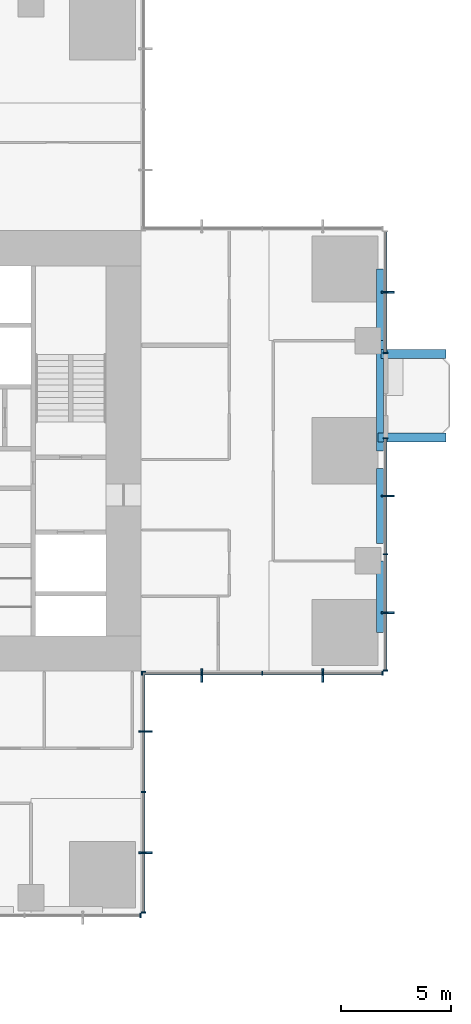
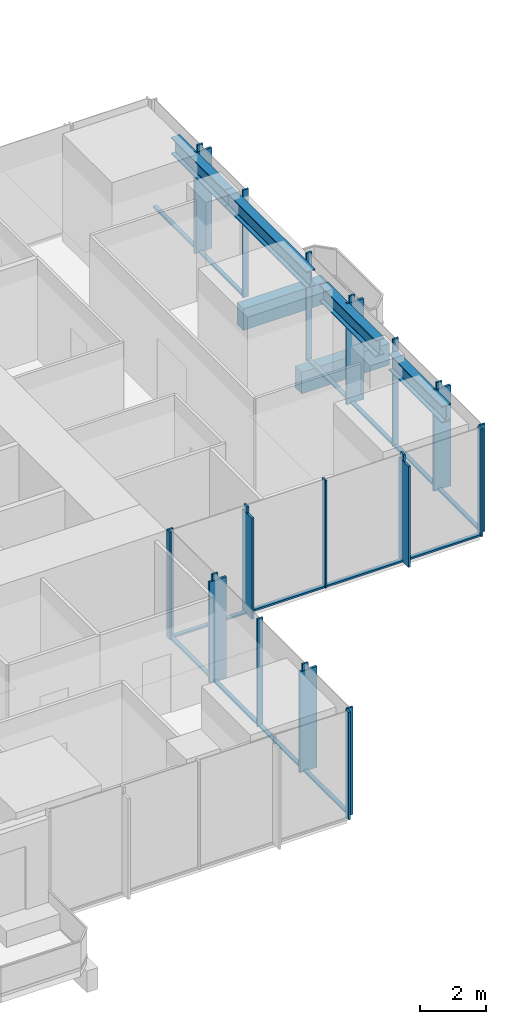
# One storey, part 4 of 13: 39 members, 6 beams, 5 elements without a shape of their own.
"""IFC4 building model written with IfcOpenShell, lengths in metres."""

from ifc_helpers import new_model, si_unit, direction, frame, origin, origin_2d, place, context, subcontext, project, spatial, rectangle, i_section, extrude, material, material_profile, profile_set, type_object, element, aggregate, save


model = new_model("IFC4")

# Units and contexts
model_context = context("Model", 3, precision=1e-05, world=origin(), true_north=direction((0.0, 1.0)))
body_context = subcontext(model_context, "Body", "Model", "MODEL_VIEW")
ifc_project = project(units=[si_unit("LENGTHUNIT", "METRE"), si_unit("AREAUNIT", "SQUARE_METRE"), si_unit("VOLUMEUNIT", "CUBIC_METRE"), si_unit("PLANEANGLEUNIT", "RADIAN"), si_unit("MASSUNIT", "GRAM", prefix="KILO")], contexts=[model_context])

# Site, building, storey
site_placement = place(None, origin())
site = spatial("IfcSite", under=ifc_project, at=site_placement, CompositionType="ELEMENT")
building_placement = place(site_placement, origin())
building = spatial("IfcBuilding", under=site, at=building_placement, Name="Svetlomir Tower", CompositionType="ELEMENT")
storey_placement = place(building_placement, frame((0.0, 0.0, 116.5)))
storey = spatial("IfcBuildingStorey", under=building, at=storey_placement, Name="L27", CompositionType="ELEMENT", Elevation=116.5)

# Beams
ifc_material_1 = material(Name="Concrete C60/75", Category="concrete")
ifc_material_profile_1 = material_profile(ifc_material_1, rectangle(XDim=0.39990234375, YDim=0.800048828125, at=origin_2d()), Name="RC 400x800")
ifc_profile_set_1 = profile_set([ifc_material_profile_1], Name="Concrete C60/75")
beam_type_1 = type_object("IfcBeamType", Name="BALCONY RIB RC 400x800", PredefinedType="BEAM", material=ifc_profile_set_1)
beam_1_placement = place(storey_placement, frame((41.75, 21.60009765625, -0.64990234375), z_axis=(1.0, 0.0, 0.0), x_axis=(0.0, 1.0, 0.0)))
element("IfcBeam", 1, at=beam_1_placement, inside=storey, type_object=beam_type_1, Name="Balcony rib E 1 L27", PredefinedType="BEAM", context=body_context, shape_type="SweptSolid", body=[
    extrude(rectangle(XDim=0.39990234375, YDim=0.800048828125, at=origin_2d()), origin(), (0.0, 0.0, 1.0), 3.10009765625),
])
beam_2_placement = place(storey_placement, frame((41.89990234375, 25.39990234375, -0.64990234375), z_axis=(1.0, 0.0, 0.0), x_axis=(0.0, 1.0, 0.0)))
element("IfcBeam", 2, at=beam_2_placement, inside=storey, type_object=beam_type_1, Name="Balcony rib E 2 L27", PredefinedType="BEAM", context=body_context, shape_type="SweptSolid", body=[
    extrude(rectangle(XDim=0.39990234375, YDim=0.800048828125, at=origin_2d()), origin(), (0.0, 0.0, 1.0), 2.9501953125),
])

# Curtain wall, members
ifc_material_2 = material(Name="Bronze anodised aluminium curtain wall", Category="aluminium")
curtain_wall_type = type_object("IfcCurtainWallType", Name="CURTAIN WALL CW1 TOWER OFFICE", PredefinedType="NOTDEFINED", material=ifc_material_2)
curtain_wall_1_placement = place(storey_placement, origin())
curtain_wall_1 = element("IfcCurtainWall", 3, at=curtain_wall_1_placement, inside=storey, type_object=curtain_wall_type, Name="Curtain wall CW1 L27", PredefinedType="NOTDEFINED")
ifc_material_3 = material(Name="Bronze anodised aluminium", Category="aluminium")
ifc_material_profile_2 = material_profile(ifc_material_3, rectangle(XDim=0.080078125, YDim=0.60009765625, at=origin_2d()), Name="FIN 80x600")
ifc_profile_set_2 = profile_set([ifc_material_profile_2], Name="Bronze anodised aluminium 6063-T6")
member_type_1 = type_object("IfcMemberType", Name="BRONZE FIN 80x600", PredefinedType="USERDEFINED", material=ifc_profile_set_2)
member_1_placement = place(storey_placement, frame((31.199951171875, 2.75, 0.0), z_axis=(0.0, 0.0, 1.0), x_axis=(0.0, 1.0, 0.0)))
member_1 = element("IfcMember", 4, at=member_1_placement, type_object=member_type_1, Name="Bronze fin L27", ObjectType="FIN", PredefinedType="USERDEFINED", context=body_context, shape_type="SweptSolid", body=[
    extrude(rectangle(XDim=0.080078125, YDim=0.60009765625, at=origin_2d()), origin(), (0.0, 0.0, 1.0), 3.75),
])
member_2_placement = place(storey_placement, frame((31.199951171875, 8.25, 0.0), z_axis=(0.0, 0.0, 1.0), x_axis=(0.0, 1.0, 0.0)))
member_2 = element("IfcMember", 5, at=member_2_placement, type_object=member_type_1, Name="Bronze fin L27", ObjectType="FIN", PredefinedType="USERDEFINED", context=body_context, shape_type="SweptSolid", body=[
    extrude(rectangle(XDim=0.080078125, YDim=0.60009765625, at=origin_2d()), origin(), (0.0, 0.0, 1.0), 3.75),
])

curtain_wall_2_placement = place(storey_placement, origin())
curtain_wall_2 = element("IfcCurtainWall", 6, at=curtain_wall_2_placement, inside=storey, type_object=curtain_wall_type, Name="Curtain wall CW1 L27", PredefinedType="NOTDEFINED")
member_3_placement = place(storey_placement, frame((33.75, 10.800048828125, 0.0), z_axis=(0.0, 0.0, 1.0), x_axis=(1.0, 0.0, 0.0)))
member_3 = element("IfcMember", 7, at=member_3_placement, type_object=member_type_1, Name="Bronze fin L27", ObjectType="FIN", PredefinedType="USERDEFINED", context=body_context, shape_type="SweptSolid", body=[
    extrude(rectangle(XDim=0.080078125, YDim=0.60009765625, at=origin_2d()), origin(), (0.0, 0.0, 1.0), 3.75),
])
member_4_placement = place(storey_placement, frame((39.25, 10.800048828125, 0.0), z_axis=(0.0, 0.0, 1.0), x_axis=(1.0, 0.0, 0.0)))
member_4 = element("IfcMember", 8, at=member_4_placement, type_object=member_type_1, Name="Bronze fin L27", ObjectType="FIN", PredefinedType="USERDEFINED", context=body_context, shape_type="SweptSolid", body=[
    extrude(rectangle(XDim=0.080078125, YDim=0.60009765625, at=origin_2d()), origin(), (0.0, 0.0, 1.0), 3.75),
])

curtain_wall_3_placement = place(storey_placement, origin())
curtain_wall_3 = element("IfcCurtainWall", 9, at=curtain_wall_3_placement, inside=storey, type_object=curtain_wall_type, Name="Curtain wall CW1 L27", PredefinedType="NOTDEFINED")
member_5_placement = place(storey_placement, frame((42.199951171875, 13.64990234375, 0.0), z_axis=(0.0, 0.0, 1.0), x_axis=(0.0, 1.0, 0.0)))
member_5 = element("IfcMember", 10, at=member_5_placement, type_object=member_type_1, Name="Bronze fin L27", ObjectType="FIN", PredefinedType="USERDEFINED", context=body_context, shape_type="SweptSolid", body=[
    extrude(rectangle(XDim=0.080078125, YDim=0.60009765625, at=origin_2d()), origin(), (0.0, 0.0, 1.0), 3.75),
])
member_6_placement = place(storey_placement, frame((42.199951171875, 18.949951171875, 0.0), z_axis=(0.0, 0.0, 1.0), x_axis=(0.0, 1.0, 0.0)))
member_6 = element("IfcMember", 11, at=member_6_placement, type_object=member_type_1, Name="Bronze fin L27", ObjectType="FIN", PredefinedType="USERDEFINED", context=body_context, shape_type="SweptSolid", body=[
    extrude(rectangle(XDim=0.080078125, YDim=0.60009765625, at=origin_2d()), origin(), (0.0, 0.0, 1.0), 3.75),
])

# Curtain wall, member
curtain_wall_4_placement = place(storey_placement, origin())
curtain_wall_4 = element("IfcCurtainWall", 12, at=curtain_wall_4_placement, inside=storey, type_object=curtain_wall_type, Name="Curtain wall CW1 L27", PredefinedType="NOTDEFINED")
member_7_placement = place(storey_placement, frame((42.199951171875, 28.199951171875, 0.0), z_axis=(0.0, 0.0, 1.0), x_axis=(0.0, 1.0, 0.0)))
member_7 = element("IfcMember", 13, at=member_7_placement, type_object=member_type_1, Name="Bronze fin L27", ObjectType="FIN", PredefinedType="USERDEFINED", context=body_context, shape_type="SweptSolid", body=[
    extrude(rectangle(XDim=0.080078125, YDim=0.60009765625, at=origin_2d()), origin(), (0.0, 0.0, 1.0), 3.75),
])

curtain_wall_5_placement = place(storey_placement, origin())
curtain_wall_5 = element("IfcCurtainWall", 14, at=curtain_wall_5_placement, inside=storey, type_object=curtain_wall_type, Name="Curtain wall CW1 L27", PredefinedType="NOTDEFINED")
ifc_material_4 = material(Name="Bronze anodised aluminium", Category="aluminium")
ifc_material_profile_3 = material_profile(ifc_material_4, rectangle(XDim=0.06494140625, YDim=0.199951171875, at=origin_2d()), Name="AL 65x200")
ifc_profile_set_3 = profile_set([ifc_material_profile_3], Name="Bronze anodised aluminium 6063-T6")
member_type_2 = type_object("IfcMemberType", Name="CW1 MULLION 65x200", PredefinedType="MULLION", material=ifc_profile_set_3)
member_8_placement = place(storey_placement, frame((30.967529296875, -0.10009765625, 0.0), z_axis=(0.0, 0.0, 1.0), x_axis=(1.0, 0.0, 0.0)))
member_8 = element("IfcMember", 15, at=member_8_placement, type_object=member_type_2, Name="CW1 mullion 5", PredefinedType="MULLION", context=body_context, shape_type="SweptSolid", body=[
    extrude(rectangle(XDim=0.06494140625, YDim=0.199951171875, at=origin_2d()), origin(), (0.0, 0.0, 1.0), 4.0),
])
aggregate(curtain_wall_5, [member_8])

# Member
member_9_placement = place(storey_placement, frame((31.10009765625, 0.032470703125, 0.0), z_axis=(0.0, 0.0, 1.0), x_axis=(0.0, 1.0, 0.0)))
member_9 = element("IfcMember", 16, at=member_9_placement, type_object=member_type_2, Name="CW1 mullion 1", PredefinedType="MULLION", context=body_context, shape_type="SweptSolid", body=[
    extrude(rectangle(XDim=0.06494140625, YDim=0.199951171875, at=origin_2d()), origin(), (0.0, 0.0, 1.0), 4.0),
])

member_10_placement = place(storey_placement, frame((31.10009765625, 2.75, 0.0), z_axis=(0.0, 0.0, 1.0), x_axis=(0.0, 1.0, 0.0)))
member_10 = element("IfcMember", 17, at=member_10_placement, type_object=member_type_2, Name="CW1 mullion 2", PredefinedType="MULLION", context=body_context, shape_type="SweptSolid", body=[
    extrude(rectangle(XDim=0.06494140625, YDim=0.199951171875, at=origin_2d()), origin(), (0.0, 0.0, 1.0), 4.0),
])

member_11_placement = place(storey_placement, frame((31.10009765625, 5.5, 0.0), z_axis=(0.0, 0.0, 1.0), x_axis=(0.0, 1.0, 0.0)))
member_11 = element("IfcMember", 18, at=member_11_placement, type_object=member_type_2, Name="CW1 mullion 3", PredefinedType="MULLION", context=body_context, shape_type="SweptSolid", body=[
    extrude(rectangle(XDim=0.06494140625, YDim=0.199951171875, at=origin_2d()), origin(), (0.0, 0.0, 1.0), 4.0),
])

member_12_placement = place(storey_placement, frame((31.10009765625, 8.25, 0.0), z_axis=(0.0, 0.0, 1.0), x_axis=(0.0, 1.0, 0.0)))
member_12 = element("IfcMember", 19, at=member_12_placement, type_object=member_type_2, Name="CW1 mullion 4", PredefinedType="MULLION", context=body_context, shape_type="SweptSolid", body=[
    extrude(rectangle(XDim=0.06494140625, YDim=0.199951171875, at=origin_2d()), origin(), (0.0, 0.0, 1.0), 4.0),
])

member_13_placement = place(storey_placement, frame((31.10009765625, 10.967529296875, 0.0), z_axis=(0.0, 0.0, 1.0), x_axis=(0.0, 1.0, 0.0)))
member_13 = element("IfcMember", 20, at=member_13_placement, type_object=member_type_2, Name="CW1 mullion 5", PredefinedType="MULLION", context=body_context, shape_type="SweptSolid", body=[
    extrude(rectangle(XDim=0.06494140625, YDim=0.199951171875, at=origin_2d()), origin(), (0.0, 0.0, 1.0), 4.0),
])

member_14_placement = place(storey_placement, frame((31.032470703125, 10.89990234375, 0.0), z_axis=(0.0, 0.0, 1.0), x_axis=(1.0, 0.0, 0.0)))
member_14 = element("IfcMember", 21, at=member_14_placement, type_object=member_type_2, Name="CW1 mullion 1", PredefinedType="MULLION", context=body_context, shape_type="SweptSolid", body=[
    extrude(rectangle(XDim=0.06494140625, YDim=0.199951171875, at=origin_2d()), origin(), (0.0, 0.0, 1.0), 4.0),
])

member_15_placement = place(storey_placement, frame((33.75, 10.89990234375, 0.0), z_axis=(0.0, 0.0, 1.0), x_axis=(1.0, 0.0, 0.0)))
member_15 = element("IfcMember", 22, at=member_15_placement, type_object=member_type_2, Name="CW1 mullion 2", PredefinedType="MULLION", context=body_context, shape_type="SweptSolid", body=[
    extrude(rectangle(XDim=0.06494140625, YDim=0.199951171875, at=origin_2d()), origin(), (0.0, 0.0, 1.0), 4.0),
])

member_16_placement = place(storey_placement, frame((36.5, 10.89990234375, 0.0), z_axis=(0.0, 0.0, 1.0), x_axis=(1.0, 0.0, 0.0)))
member_16 = element("IfcMember", 23, at=member_16_placement, type_object=member_type_2, Name="CW1 mullion 3", PredefinedType="MULLION", context=body_context, shape_type="SweptSolid", body=[
    extrude(rectangle(XDim=0.06494140625, YDim=0.199951171875, at=origin_2d()), origin(), (0.0, 0.0, 1.0), 4.0),
])

member_17_placement = place(storey_placement, frame((39.25, 10.89990234375, 0.0), z_axis=(0.0, 0.0, 1.0), x_axis=(1.0, 0.0, 0.0)))
member_17 = element("IfcMember", 24, at=member_17_placement, type_object=member_type_2, Name="CW1 mullion 4", PredefinedType="MULLION", context=body_context, shape_type="SweptSolid", body=[
    extrude(rectangle(XDim=0.06494140625, YDim=0.199951171875, at=origin_2d()), origin(), (0.0, 0.0, 1.0), 4.0),
])

member_18_placement = place(storey_placement, frame((41.967529296875, 10.89990234375, 0.0), z_axis=(0.0, 0.0, 1.0), x_axis=(1.0, 0.0, 0.0)))
member_18 = element("IfcMember", 25, at=member_18_placement, type_object=member_type_2, Name="CW1 mullion 5", PredefinedType="MULLION", context=body_context, shape_type="SweptSolid", body=[
    extrude(rectangle(XDim=0.06494140625, YDim=0.199951171875, at=origin_2d()), origin(), (0.0, 0.0, 1.0), 4.0),
])

member_19_placement = place(storey_placement, frame((42.10009765625, 11.032470703125, 0.0), z_axis=(0.0, 0.0, 1.0), x_axis=(0.0, 1.0, 0.0)))
member_19 = element("IfcMember", 26, at=member_19_placement, type_object=member_type_2, Name="CW1 mullion 1", PredefinedType="MULLION", context=body_context, shape_type="SweptSolid", body=[
    extrude(rectangle(XDim=0.06494140625, YDim=0.199951171875, at=origin_2d()), origin(), (0.0, 0.0, 1.0), 4.0),
])

member_20_placement = place(storey_placement, frame((42.10009765625, 13.64990234375, 0.0), z_axis=(0.0, 0.0, 1.0), x_axis=(0.0, 1.0, 0.0)))
member_20 = element("IfcMember", 27, at=member_20_placement, type_object=member_type_2, Name="CW1 mullion 2", PredefinedType="MULLION", context=body_context, shape_type="SweptSolid", body=[
    extrude(rectangle(XDim=0.06494140625, YDim=0.199951171875, at=origin_2d()), origin(), (0.0, 0.0, 1.0), 4.0),
])

member_21_placement = place(storey_placement, frame((42.10009765625, 16.300048828125, 0.0), z_axis=(0.0, 0.0, 1.0), x_axis=(0.0, 1.0, 0.0)))
member_21 = element("IfcMember", 28, at=member_21_placement, type_object=member_type_2, Name="CW1 mullion 3", PredefinedType="MULLION", context=body_context, shape_type="SweptSolid", body=[
    extrude(rectangle(XDim=0.06494140625, YDim=0.199951171875, at=origin_2d()), origin(), (0.0, 0.0, 1.0), 4.0),
])

member_22_placement = place(storey_placement, frame((42.10009765625, 18.949951171875, 0.0), z_axis=(0.0, 0.0, 1.0), x_axis=(0.0, 1.0, 0.0)))
member_22 = element("IfcMember", 29, at=member_22_placement, type_object=member_type_2, Name="CW1 mullion 4", PredefinedType="MULLION", context=body_context, shape_type="SweptSolid", body=[
    extrude(rectangle(XDim=0.06494140625, YDim=0.199951171875, at=origin_2d()), origin(), (0.0, 0.0, 1.0), 4.0),
])

member_23_placement = place(storey_placement, frame((42.10009765625, 21.5673828125, 0.0), z_axis=(0.0, 0.0, 1.0), x_axis=(0.0, 1.0, 0.0)))
member_23 = element("IfcMember", 30, at=member_23_placement, type_object=member_type_2, Name="CW1 mullion 5", PredefinedType="MULLION", context=body_context, shape_type="SweptSolid", body=[
    extrude(rectangle(XDim=0.06494140625, YDim=0.199951171875, at=origin_2d()), origin(), (0.0, 0.0, 1.0), 4.0),
])

member_24_placement = place(storey_placement, frame((42.10009765625, 25.4326171875, 0.0), z_axis=(0.0, 0.0, 1.0), x_axis=(0.0, 1.0, 0.0)))
member_24 = element("IfcMember", 31, at=member_24_placement, type_object=member_type_2, Name="CW1 mullion 1", PredefinedType="MULLION", context=body_context, shape_type="SweptSolid", body=[
    extrude(rectangle(XDim=0.06494140625, YDim=0.199951171875, at=origin_2d()), origin(), (0.0, 0.0, 1.0), 4.0),
])

member_25_placement = place(storey_placement, frame((42.10009765625, 28.199951171875, 0.0), z_axis=(0.0, 0.0, 1.0), x_axis=(0.0, 1.0, 0.0)))
member_25 = element("IfcMember", 32, at=member_25_placement, type_object=member_type_2, Name="CW1 mullion 2", PredefinedType="MULLION", context=body_context, shape_type="SweptSolid", body=[
    extrude(rectangle(XDim=0.06494140625, YDim=0.199951171875, at=origin_2d()), origin(), (0.0, 0.0, 1.0), 4.0),
])

ifc_material_5 = material(Name="Bronze anodised aluminium", Category="aluminium")
ifc_material_profile_4 = material_profile(ifc_material_5, rectangle(XDim=0.139892578125, YDim=0.06494140625, at=origin_2d()), Name="AL 140x65")
ifc_profile_set_4 = profile_set([ifc_material_profile_4], Name="Bronze anodised aluminium 6063-T6")
member_type_3 = type_object("IfcMemberType", Name="CW1 TRANSOM 65x140", PredefinedType="USERDEFINED", material=ifc_profile_set_4)
member_26_placement = place(storey_placement, frame((31.10009765625, 0.06494140625, 0.032470703125), z_axis=(0.0, 1.0, 0.0), x_axis=(-1.0, 0.0, 0.0)))
member_26 = element("IfcMember", 33, at=member_26_placement, type_object=member_type_3, Name="CW1 transom 1.1", ObjectType="TRANSOM", PredefinedType="USERDEFINED", context=body_context, shape_type="SweptSolid", body=[
    extrude(rectangle(XDim=0.139892578125, YDim=0.06494140625, at=origin_2d()), origin(), (0.0, 0.0, 1.0), 2.652587890625),
])

member_27_placement = place(storey_placement, frame((31.10009765625, 2.782470703125, 0.032470703125), z_axis=(0.0, 1.0, 0.0), x_axis=(-1.0, 0.0, 0.0)))
member_27 = element("IfcMember", 34, at=member_27_placement, type_object=member_type_3, Name="CW1 transom 2.1", ObjectType="TRANSOM", PredefinedType="USERDEFINED", context=body_context, shape_type="SweptSolid", body=[
    extrude(rectangle(XDim=0.139892578125, YDim=0.06494140625, at=origin_2d()), origin(), (0.0, 0.0, 1.0), 2.68505859375),
])

member_28_placement = place(storey_placement, frame((31.10009765625, 5.532470703125, 0.032470703125), z_axis=(0.0, 1.0, 0.0), x_axis=(-1.0, 0.0, 0.0)))
member_28 = element("IfcMember", 35, at=member_28_placement, type_object=member_type_3, Name="CW1 transom 3.1", ObjectType="TRANSOM", PredefinedType="USERDEFINED", context=body_context, shape_type="SweptSolid", body=[
    extrude(rectangle(XDim=0.139892578125, YDim=0.06494140625, at=origin_2d()), origin(), (0.0, 0.0, 1.0), 2.68505859375),
])

member_29_placement = place(storey_placement, frame((31.10009765625, 8.282470703125, 0.032470703125), z_axis=(0.0, 1.0, 0.0), x_axis=(-1.0, 0.0, 0.0)))
member_29 = element("IfcMember", 36, at=member_29_placement, type_object=member_type_3, Name="CW1 transom 4.1", ObjectType="TRANSOM", PredefinedType="USERDEFINED", context=body_context, shape_type="SweptSolid", body=[
    extrude(rectangle(XDim=0.139892578125, YDim=0.06494140625, at=origin_2d()), origin(), (0.0, 0.0, 1.0), 2.652587890625),
])

aggregate(curtain_wall_1, [member_9, member_10, member_11, member_12, member_13, member_26, member_27, member_28, member_29, member_1, member_2])

member_30_placement = place(storey_placement, frame((31.06494140625, 10.89990234375, 0.032470703125), z_axis=(1.0, 0.0, 0.0), x_axis=(0.0, 1.0, 0.0)))
member_30 = element("IfcMember", 37, at=member_30_placement, type_object=member_type_3, Name="CW1 transom 1.1", ObjectType="TRANSOM", PredefinedType="USERDEFINED", context=body_context, shape_type="SweptSolid", body=[
    extrude(rectangle(XDim=0.139892578125, YDim=0.06494140625, at=origin_2d()), origin(), (0.0, 0.0, 1.0), 2.652587890625),
])

member_31_placement = place(storey_placement, frame((33.782470703125, 10.89990234375, 0.032470703125), z_axis=(1.0, 0.0, 0.0), x_axis=(0.0, 1.0, 0.0)))
member_31 = element("IfcMember", 38, at=member_31_placement, type_object=member_type_3, Name="CW1 transom 2.1", ObjectType="TRANSOM", PredefinedType="USERDEFINED", context=body_context, shape_type="SweptSolid", body=[
    extrude(rectangle(XDim=0.139892578125, YDim=0.06494140625, at=origin_2d()), origin(), (0.0, 0.0, 1.0), 2.68505859375),
])

member_32_placement = place(storey_placement, frame((36.532470703125, 10.89990234375, 0.032470703125), z_axis=(1.0, 0.0, 0.0), x_axis=(0.0, 1.0, 0.0)))
member_32 = element("IfcMember", 39, at=member_32_placement, type_object=member_type_3, Name="CW1 transom 3.1", ObjectType="TRANSOM", PredefinedType="USERDEFINED", context=body_context, shape_type="SweptSolid", body=[
    extrude(rectangle(XDim=0.139892578125, YDim=0.06494140625, at=origin_2d()), origin(), (0.0, 0.0, 1.0), 2.68505859375),
])

member_33_placement = place(storey_placement, frame((39.282470703125, 10.89990234375, 0.032470703125), z_axis=(1.0, 0.0, 0.0), x_axis=(0.0, 1.0, 0.0)))
member_33 = element("IfcMember", 40, at=member_33_placement, type_object=member_type_3, Name="CW1 transom 4.1", ObjectType="TRANSOM", PredefinedType="USERDEFINED", context=body_context, shape_type="SweptSolid", body=[
    extrude(rectangle(XDim=0.139892578125, YDim=0.06494140625, at=origin_2d()), origin(), (0.0, 0.0, 1.0), 2.652587890625),
])

aggregate(curtain_wall_2, [member_14, member_15, member_16, member_17, member_18, member_30, member_31, member_32, member_33, member_3, member_4])

member_34_placement = place(storey_placement, frame((42.10009765625, 11.06494140625, 0.032470703125), z_axis=(0.0, 1.0, 0.0), x_axis=(-1.0, 0.0, 0.0)))
member_34 = element("IfcMember", 41, at=member_34_placement, type_object=member_type_3, Name="CW1 transom 1.1", ObjectType="TRANSOM", PredefinedType="USERDEFINED", context=body_context, shape_type="SweptSolid", body=[
    extrude(rectangle(XDim=0.139892578125, YDim=0.06494140625, at=origin_2d()), origin(), (0.0, 0.0, 1.0), 2.552490234375),
])

member_35_placement = place(storey_placement, frame((42.10009765625, 13.6826171875, 0.032470703125), z_axis=(0.0, 1.0, 0.0), x_axis=(-1.0, 0.0, 0.0)))
member_35 = element("IfcMember", 42, at=member_35_placement, type_object=member_type_3, Name="CW1 transom 2.1", ObjectType="TRANSOM", PredefinedType="USERDEFINED", context=body_context, shape_type="SweptSolid", body=[
    extrude(rectangle(XDim=0.139892578125, YDim=0.06494140625, at=origin_2d()), origin(), (0.0, 0.0, 1.0), 2.5849609375),
])

member_36_placement = place(storey_placement, frame((42.10009765625, 16.33251953125, 0.032470703125), z_axis=(0.0, 1.0, 0.0), x_axis=(-1.0, 0.0, 0.0)))
member_36 = element("IfcMember", 43, at=member_36_placement, type_object=member_type_3, Name="CW1 transom 3.1", ObjectType="TRANSOM", PredefinedType="USERDEFINED", context=body_context, shape_type="SweptSolid", body=[
    extrude(rectangle(XDim=0.139892578125, YDim=0.06494140625, at=origin_2d()), origin(), (0.0, 0.0, 1.0), 2.5849609375),
])

member_37_placement = place(storey_placement, frame((42.10009765625, 18.982421875, 0.032470703125), z_axis=(0.0, 1.0, 0.0), x_axis=(-1.0, 0.0, 0.0)))
member_37 = element("IfcMember", 44, at=member_37_placement, type_object=member_type_3, Name="CW1 transom 4.1", ObjectType="TRANSOM", PredefinedType="USERDEFINED", context=body_context, shape_type="SweptSolid", body=[
    extrude(rectangle(XDim=0.139892578125, YDim=0.06494140625, at=origin_2d()), origin(), (0.0, 0.0, 1.0), 2.552490234375),
])

aggregate(curtain_wall_3, [member_19, member_20, member_21, member_22, member_23, member_34, member_35, member_36, member_37, member_5, member_6])

member_38_placement = place(storey_placement, frame((42.10009765625, 25.465087890625, 0.032470703125), z_axis=(0.0, 1.0, 0.0), x_axis=(-1.0, 0.0, 0.0)))
member_38 = element("IfcMember", 45, at=member_38_placement, type_object=member_type_3, Name="CW1 transom 1.1", ObjectType="TRANSOM", PredefinedType="USERDEFINED", context=body_context, shape_type="SweptSolid", body=[
    extrude(rectangle(XDim=0.139892578125, YDim=0.06494140625, at=origin_2d()), origin(), (0.0, 0.0, 1.0), 2.702392578125),
])

member_39_placement = place(storey_placement, frame((42.10009765625, 28.232421875, 0.032470703125), z_axis=(0.0, 1.0, 0.0), x_axis=(-1.0, 0.0, 0.0)))
member_39 = element("IfcMember", 46, at=member_39_placement, type_object=member_type_3, Name="CW1 transom 2.1", ObjectType="TRANSOM", PredefinedType="USERDEFINED", context=body_context, shape_type="SweptSolid", body=[
    extrude(rectangle(XDim=0.139892578125, YDim=0.06494140625, at=origin_2d()), origin(), (0.0, 0.0, 1.0), 2.70263671875),
])

aggregate(curtain_wall_4, [member_24, member_25, member_38, member_39, member_7])

# Beams
ifc_material_6 = material(Name="Steel S355", Category="steel")
ifc_material_profile_5 = material_profile(ifc_material_6, i_section(OverallWidth=0.304931640625, OverallDepth=0.6201171875, WebThickness=0.02099609375, FlangeThickness=0.0400390625, FilletRadius=0.027099609375, at=origin_2d()), Name="HEM 600")
ifc_profile_set_5 = profile_set([ifc_material_profile_5], Name="Steel S355")
beam_type_2 = type_object("IfcBeamType", Name="EDGE BEAM HEM 600", PredefinedType="SPANDREL", material=ifc_profile_set_5)
beam_3_placement = place(storey_placement, frame((41.847412109375, 12.75, 3.43994140625), z_axis=(0.0, 1.0, 0.0), x_axis=(-1.0, 0.0, 0.0)))
element("IfcBeam", 47, at=beam_3_placement, inside=storey, type_object=beam_type_2, Name="Edge beam 42/11 to 42/16 under L28", PredefinedType="SPANDREL", context=body_context, shape_type="SweptSolid", body=[
    extrude(i_section(OverallWidth=0.304931640625, OverallDepth=0.6201171875, WebThickness=0.02099609375, FlangeThickness=0.0400390625, FilletRadius=0.027099609375, at=origin_2d()), origin(), (0.0, 0.0, 1.0), 3.25),
])
beam_4_placement = place(storey_placement, frame((41.847412109375, 16.800048828125, 3.43994140625), z_axis=(0.0, 1.0, 0.0), x_axis=(-1.0, 0.0, 0.0)))
element("IfcBeam", 48, at=beam_4_placement, inside=storey, type_object=beam_type_2, Name="Edge beam 42/16 to 42/21 under L28", PredefinedType="SPANDREL", context=body_context, shape_type="SweptSolid", body=[
    extrude(i_section(OverallWidth=0.304931640625, OverallDepth=0.6201171875, WebThickness=0.02099609375, FlangeThickness=0.0400390625, FilletRadius=0.027099609375, at=origin_2d()), origin(), (0.0, 0.0, 1.0), 3.39990234375),
])
beam_5_placement = place(storey_placement, frame((41.847412109375, 21.0, 3.43994140625), z_axis=(0.0, 1.0, 0.0), x_axis=(-1.0, 0.0, 0.0)))
element("IfcBeam", 49, at=beam_5_placement, inside=storey, type_object=beam_type_2, Name="Edge beam 42/21 to 42/26 under L28", PredefinedType="SPANDREL", context=body_context, shape_type="SweptSolid", body=[
    extrude(i_section(OverallWidth=0.304931640625, OverallDepth=0.6201171875, WebThickness=0.02099609375, FlangeThickness=0.0400390625, FilletRadius=0.027099609375, at=origin_2d()), origin(), (0.0, 0.0, 1.0), 5.0),
])
beam_6_placement = place(storey_placement, frame((41.847412109375, 26.0, 3.43994140625), z_axis=(0.0, 1.0, 0.0), x_axis=(-1.0, 0.0, 0.0)))
element("IfcBeam", 50, at=beam_6_placement, inside=storey, type_object=beam_type_2, Name="Edge beam 42/26 to 42/31 under L28", PredefinedType="SPANDREL", context=body_context, shape_type="SweptSolid", body=[
    extrude(i_section(OverallWidth=0.304931640625, OverallDepth=0.6201171875, WebThickness=0.02099609375, FlangeThickness=0.0400390625, FilletRadius=0.027099609375, at=origin_2d()), origin(), (0.0, 0.0, 1.0), 3.25),
])

save(model, "model.ifc")
